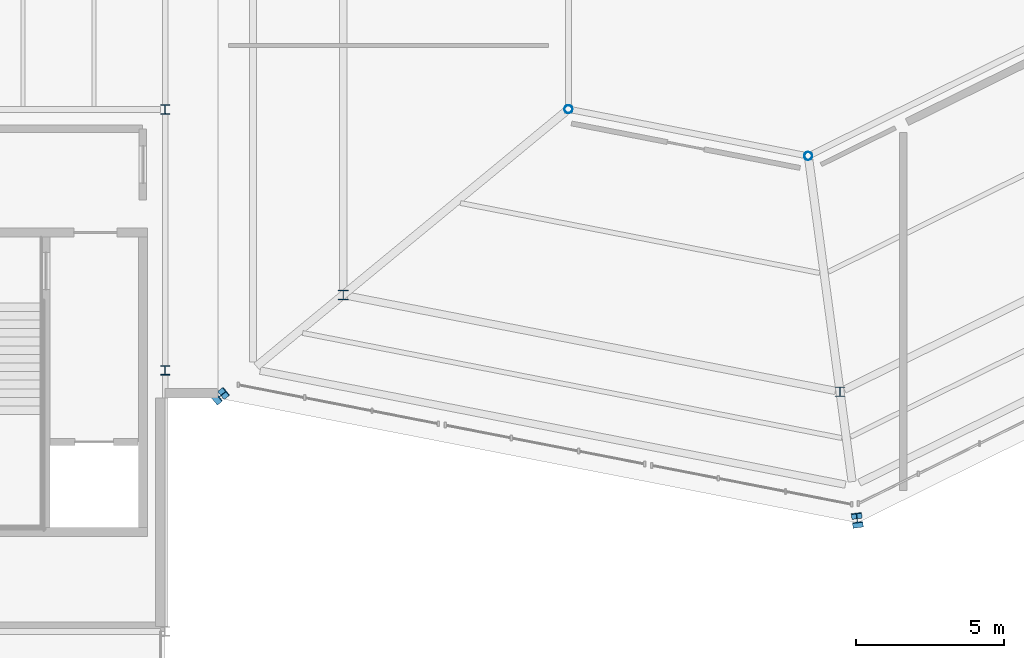
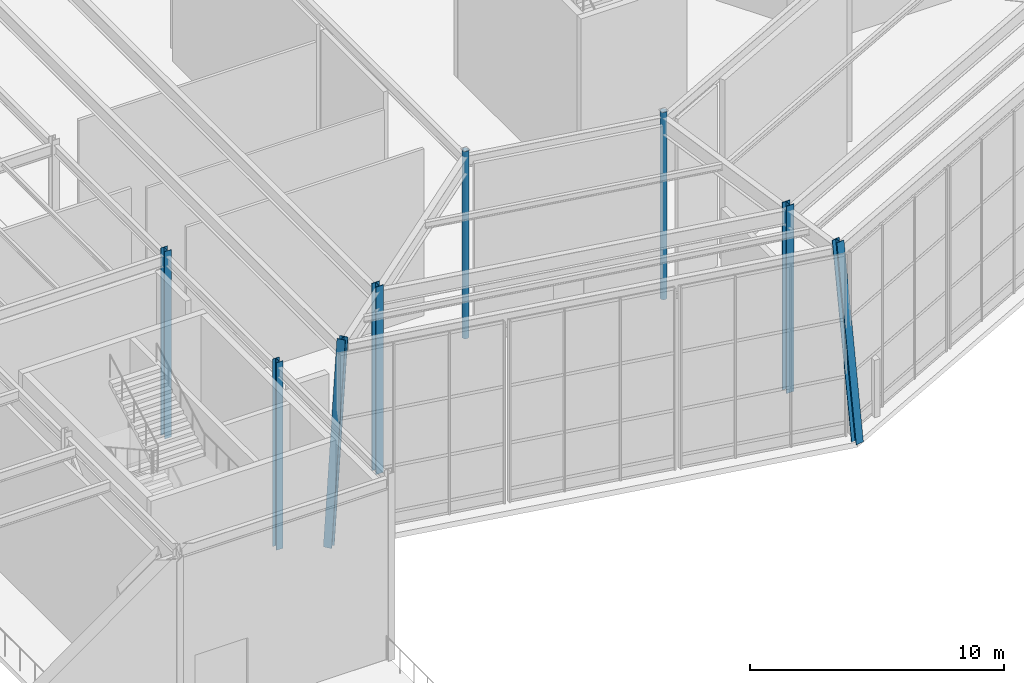
# One storey, part 3 of 48: 8 columns.
"""IFC4 building model written with IfcOpenShell, lengths in metres."""

import ifcopenshell
import ifcopenshell.guid

model = None  # the IFC model being written
_history = None  # IfcOwnerHistory: only IFC2X3 demands one
_inside = {}  # id of a spatial element -> (the spatial element, [elements in it])
_under = {}  # id of a project, library or spatial element -> (it, [spatial elements below it])
_declared = {}  # id of a project -> (the project, [libraries it declares])
_typed = {}  # id of a type object -> (the type object, [elements of that type])
_made_of = {}  # id of a material, layer set ... -> (it, [elements and type objects made of it])


def new_model(schema):
    """Start an empty IFC model of exactly this schema.

    Asked for "IFC4X3", IfcOpenShell would pick the latest addendum, in which some entities
    have other attributes; the version numbers below select the first issue.
    IFC2X3 requires an IfcOwnerHistory on every rooted entity: one is made here for all.
    """
    global model, _history
    if schema == "IFC4X3":
        model = ifcopenshell.file(schema_version=(4, 3, 0, 0))
    else:
        model = ifcopenshell.file(schema=schema)
    _inside.clear()
    _under.clear()
    _declared.clear()
    _typed.clear()
    _made_of.clear()
    _history = None
    if model.schema == "IFC2X3":
        org = make("IfcOrganization", Name="unknown")
        user = make(
            "IfcPersonAndOrganization",
            ThePerson=make("IfcPerson", FamilyName="unknown"),
            TheOrganization=org,
        )
        app = make(
            "IfcApplication",
            ApplicationDeveloper=org,
            Version="unknown",
            ApplicationFullName="unknown",
            ApplicationIdentifier="unknown",
        )
        _history = make(
            "IfcOwnerHistory",
            OwningUser=user,
            OwningApplication=app,
            ChangeAction="ADDED",
            CreationDate=0,
        )
    return model


def make(cls, **values):
    """One entity of the class cls with the attributes given. An attribute that is None is left unset."""
    return model.create_entity(
        cls, **{name: value for name, value in values.items() if value is not None}
    )


def rooted(cls, **values):
    """An entity with a GlobalId (a new one), such as an element, a storey or a relation."""
    return make(cls, GlobalId=ifcopenshell.guid.new(), OwnerHistory=_history, **values)


def si_unit(unit_type, name, prefix=None):
    """IfcSIUnit, for example si_unit("LENGTHUNIT", "METRE", prefix="MILLI")."""
    return make("IfcSIUnit", UnitType=unit_type, Prefix=prefix, Name=name)


def assignment(units):
    """IfcUnitAssignment: the units of a project."""
    return None if units is None else make("IfcUnitAssignment", Units=units)


def point(xyz):
    """IfcCartesianPoint."""
    return None if xyz is None else make("IfcCartesianPoint", Coordinates=xyz)


def direction(xyz):
    """IfcDirection."""
    return None if xyz is None else make("IfcDirection", DirectionRatios=xyz)


def frame(location, z_axis=None, x_axis=None):
    """IfcAxis2Placement3D, a coordinate frame: its origin and axes. An axis left out is left unset."""
    return make(
        "IfcAxis2Placement3D",
        Location=point(location),
        Axis=direction(z_axis),
        RefDirection=direction(x_axis),
    )


def frame_2d(location, x_axis=None):
    """IfcAxis2Placement2D, a coordinate frame in the plane: its origin and x axis."""
    return make(
        "IfcAxis2Placement2D", Location=point(location), RefDirection=direction(x_axis)
    )


def origin():
    """The frame at (0, 0, 0) with its axes left unset."""
    return frame((0.0, 0.0, 0.0))


def origin_2d():
    """The frame at (0, 0) in the plane with its x axis left unset."""
    return frame_2d((0.0, 0.0))


def place(relative_to, where):
    """IfcLocalPlacement: puts the frame where relative to a parent placement (None: the world)."""
    return make(
        "IfcLocalPlacement", PlacementRelTo=relative_to, RelativePlacement=where
    )


def context(
    kind, dimensions, precision=None, world=None, true_north=None, identifier=None
):
    """IfcGeometricRepresentationContext, for example the 3D "Model" context."""
    return make(
        "IfcGeometricRepresentationContext",
        ContextIdentifier=identifier,
        ContextType=kind,
        CoordinateSpaceDimension=dimensions,
        Precision=precision,
        WorldCoordinateSystem=world,
        TrueNorth=true_north,
    )


def subcontext(parent, identifier, kind, view, scale=None):
    """IfcGeometricRepresentationSubContext, for example "Body" below "Model"."""
    return make(
        "IfcGeometricRepresentationSubContext",
        ContextIdentifier=identifier,
        ContextType=kind,
        ParentContext=parent,
        TargetScale=scale,
        TargetView=view,
    )


def project(units=None, contexts=None):
    """IfcProject with its units and contexts."""
    return rooted(
        "IfcProject",
        Name="project",
        RepresentationContexts=contexts,
        UnitsInContext=assignment(units),
    )


def spatial(cls, under=None, at=None, **own):
    """A site, building, storey or space (cls), placed at a placement, below another one or the project."""
    s = rooted(cls, ObjectPlacement=at, **own)
    if under is not None:
        _under.setdefault(under.id(), (under, []))[1].append(s)
    return s


def profile(cls, at=None, kind="AREA", **sizes):
    """A parametric profile (cls). Its sizes go by their IFC names, for example OverallWidth=200.0."""
    return make(cls, ProfileType=kind, Position=at, **sizes)


def hollow_circle(**sizes):
    """IfcCircleHollowProfileDef."""
    return profile("IfcCircleHollowProfileDef", **sizes)


def i_section(**sizes):
    """IfcIShapeProfileDef."""
    return profile("IfcIShapeProfileDef", **sizes)


def extrude(swept, where, along, depth):
    """IfcExtrudedAreaSolid: the profile swept, set in the frame where, extruded along a direction by depth."""
    return make(
        "IfcExtrudedAreaSolid",
        SweptArea=swept,
        Position=where,
        ExtrudedDirection=direction(along),
        Depth=depth,
    )


def shape(context_of_items, identifier, shape_type, items):
    """IfcShapeRepresentation: the items that make up one representation, for example the "Body"."""
    return make(
        "IfcShapeRepresentation",
        ContextOfItems=context_of_items,
        RepresentationIdentifier=identifier,
        RepresentationType=shape_type,
        Items=items,
    )


def material(Name=None, Category=None):
    """IfcMaterial."""
    return make("IfcMaterial", Name=Name, Category=Category)


def material_profile(
    of_material, cross_section, Name=None, Category=None, Priority=None
):
    """IfcMaterialProfile: a cross section and its material."""
    return make(
        "IfcMaterialProfile",
        Name=Name,
        Material=of_material,
        Profile=cross_section,
        Priority=Priority,
        Category=Category,
    )


def profile_set(profiles, Name=None, composite=None):
    """IfcMaterialProfileSet."""
    return make(
        "IfcMaterialProfileSet",
        Name=Name,
        MaterialProfiles=profiles,
        CompositeProfile=composite,
    )


def made_of(thing, what):
    """Note that an element or type object is made of a material, layer set ...; save() writes the relation."""
    if what is not None:
        _made_of.setdefault(what.id(), (what, []))[1].append(thing)
    return thing


def type_object(cls, material=None, **own):
    """A type object (cls), such as IfcWallType, which elements share."""
    return made_of(rooted(cls, **own), material)


def element(
    cls,
    number,
    at=None,
    inside=None,
    cuts=None,
    type_object=None,
    material=None,
    context=None,
    identifier="Body",
    shape_type=None,
    held_by="IfcProductDefinitionShape",
    body=None,
    shapes=None,
    **own,
):
    """One element of the class cls, such as IfcWall. Its Tag is "e" and its number.

    at: its placement. inside: the storey or other place that contains it. cuts: it is an
    opening in that element (IfcRelVoidsElement). A single representation is given by context,
    identifier, shape_type and body (its items); several are given by shapes. held_by: the class
    of the entity that holds the representations. save() writes the other relations.
    """
    e = rooted(cls, Tag="e%d" % number, ObjectPlacement=at, **own)
    if body is not None:
        shapes = [shape(context, identifier, shape_type, body)]
    if shapes is not None:
        e.Representation = make(held_by, Representations=shapes)
    if inside is not None:
        _inside.setdefault(inside.id(), (inside, []))[1].append(e)
    if cuts is not None:
        rooted(
            "IfcRelVoidsElement", RelatingBuildingElement=cuts, RelatedOpeningElement=e
        )
    if type_object is not None:
        _typed.setdefault(type_object.id(), (type_object, []))[1].append(e)
    return made_of(e, material)


def aggregate(whole, parts):
    """IfcRelAggregates: a whole, such as a stair, and the parts it consists of."""
    return rooted("IfcRelAggregates", RelatingObject=whole, RelatedObjects=parts)


def save(model, path):
    """Write the relations noted so far, then the file.

    IfcRelAggregates (storeys below a building ...), IfcRelContainedInSpatialStructure (elements
    in a storey), IfcRelDefinesByType, IfcRelAssociatesMaterial and IfcRelDeclares: one each for
    every whole, place, type object, material and project.
    """
    for whole, parts in _under.values():
        aggregate(whole, parts)
    for where, things in _inside.values():
        rooted(
            "IfcRelContainedInSpatialStructure",
            RelatedElements=things,
            RelatingStructure=where,
        )
    for kind, things in _typed.values():
        rooted("IfcRelDefinesByType", RelatedObjects=things, RelatingType=kind)
    for what, things in _made_of.values():
        rooted("IfcRelAssociatesMaterial", RelatedObjects=things, RelatingMaterial=what)
    for by, libraries in _declared.values():
        rooted("IfcRelDeclares", RelatingContext=by, RelatedDefinitions=libraries)
    model.write(path)


model = new_model("IFC4")

# Units and contexts
model_context = context("Model", 3, precision=1e-05, world=origin(), true_north=direction((0.0, 1.0)))
body_context = subcontext(model_context, "Body", "Model", "MODEL_VIEW")
ifc_project = project(units=[si_unit("LENGTHUNIT", "METRE"), si_unit("AREAUNIT", "SQUARE_METRE"), si_unit("VOLUMEUNIT", "CUBIC_METRE"), si_unit("PLANEANGLEUNIT", "RADIAN"), si_unit("MASSUNIT", "GRAM", prefix="KILO")], contexts=[model_context])

# Site, building, storey
site_placement = place(None, origin())
site = spatial("IfcSite", under=ifc_project, at=site_placement, CompositionType="ELEMENT")
building_placement = place(site_placement, origin())
building = spatial("IfcBuilding", under=site, at=building_placement, Name="Sarnbrook Museum", CompositionType="ELEMENT")
storey_placement = place(building_placement, frame((0.0, 0.0, 19.10009765625)))
storey = spatial("IfcBuildingStorey", under=building, at=storey_placement, Name="L04", CompositionType="ELEMENT", Elevation=19.10009765625)

# Columns
ifc_material_1 = material(Name="Structural Steel Hollow Section Grade C350L0 (AS/NZS 1163, fy = 350 MPa)", Category="steel")
ifc_material_profile_1 = material_profile(ifc_material_1, hollow_circle(Radius=0.136474609375, WallThickness=0.00927734375, at=origin_2d()), Name="273.1x9.3CHS")
ifc_profile_set_1 = profile_set([ifc_material_profile_1], Name="Structural Steel Hollow Section Grade C350L0 (AS/NZS 1163, fy = 350 MPa)")
column_type_1 = type_object("IfcColumnType", Name="COL-CHS273", PredefinedType="COLUMN", material=ifc_profile_set_1)
for number, where, z_axis, x_axis, name in (
    (1, (132.800048828125, 74.405029296875, 0.0), (0.0, 0.0, 1.0), (1.0, 0.0, 0.0), "Crystal Gallery Feature Column R2-1 L04"),
    (2, (140.88720703125, 72.828857421875, 0.0), (0.0, 0.0, 1.0), (1.0, 0.0, 0.0), "Crystal Gallery Feature Column R2-2 L04"),
):
    element("IfcColumn", number, at=place(storey_placement, frame(where, z_axis=z_axis, x_axis=x_axis)), inside=storey, type_object=column_type_1, Name=name, PredefinedType="COLUMN", context=body_context, shape_type="SweptSolid", body=[
        extrude(hollow_circle(Radius=0.136474609375, WallThickness=0.00927734375, at=origin_2d()), origin(), (0.0, 0.0, 1.0), 9.0),
    ])
ifc_material_2 = material(Name="Structural Steel Grade 300PLUS (AS/NZS 3679.1, fy = 280 MPa for 17 < t <= 40 mm, 300 MPa for t <= 17 mm)", Category="steel")
ifc_material_profile_2 = material_profile(ifc_material_2, i_section(OverallWidth=0.306884765625, OverallDepth=0.31494140625, WebThickness=0.011962890625, FlangeThickness=0.018798828125, FilletRadius=0.0166015625, at=origin_2d()), Name="310UC118")
ifc_profile_set_2 = profile_set([ifc_material_profile_2], Name="Structural Steel Grade 300PLUS (AS/NZS 3679.1, fy = 280 MPa for 17 < t <= 40 mm, 300 MPa for t <= 17 mm)")
column_type_2 = type_object("IfcColumnType", Name="COL-UC310", PredefinedType="COLUMN", material=ifc_profile_set_2)
for number, where, z_axis, x_axis, name in (
    (3, (119.199951171875, 65.60009765625, 0.0), (0.0, 0.0, 1.0), (1.0, 0.0, 0.0), "Column 13-H L04"),
    (4, (119.199951171875, 74.39990234375, 0.0), (0.0, 0.0, 1.0), (1.0, 0.0, 0.0), "Column 13-J L04"),
):
    element("IfcColumn", number, at=place(storey_placement, frame(where, z_axis=z_axis, x_axis=x_axis)), inside=storey, type_object=column_type_2, Name=name, PredefinedType="COLUMN", context=body_context, shape_type="SweptSolid", body=[
        extrude(i_section(OverallWidth=0.306884765625, OverallDepth=0.31494140625, WebThickness=0.011962890625, FlangeThickness=0.018798828125, FilletRadius=0.0166015625, at=origin_2d()), origin(), (0.0, 0.0, 1.0), 9.0),
    ])
ifc_material_3 = material(Name="Structural Steel Grade 350L0 (AS/NZS 3678, fy = 340 MPa for 20 < t <= 40 mm)", Category="steel")
ifc_material_profile_3 = material_profile(ifc_material_3, i_section(OverallWidth=0.35009765625, OverallDepth=0.3310546875, WebThickness=0.02001953125, FlangeThickness=0.028076171875, at=origin_2d()), Name="350WC197")
ifc_profile_set_3 = profile_set([ifc_material_profile_3], Name="Structural Steel Grade 350L0 (AS/NZS 3678, fy = 340 MPa for 20 < t <= 40 mm)")
column_type_3 = type_object("IfcColumnType", Name="COL-WC350", PredefinedType="COLUMN", material=ifc_profile_set_3)
column_1_placement = place(storey_placement, frame((120.977294921875, 64.664306640625, 0.0), z_axis=(0.12977150761, 0.106935145051, 0.985760736977), x_axis=(-0.635935760086, 0.771741996424, 0.0)))
element("IfcColumn", 5, at=column_1_placement, inside=storey, type_object=column_type_3, Name="Raking Crystal Rib Column V1 L04", PredefinedType="COLUMN", context=body_context, shape_type="SweptSolid", body=[
    extrude(i_section(OverallWidth=0.35009765625, OverallDepth=0.3310546875, WebThickness=0.02001953125, FlangeThickness=0.028076171875, at=origin_2d()), origin(), (0.0, 0.0, 1.0), 9.1298828125),
])
column_2_placement = place(storey_placement, frame((125.199951171875, 68.143310546875, 0.0), z_axis=(0.0, 0.0, 1.0), x_axis=(1.0, 0.0, 0.0)))
element("IfcColumn", 6, at=column_2_placement, inside=storey, type_object=column_type_3, Name="Crystal Hall Ring Column R1-1 L04", PredefinedType="COLUMN", context=body_context, shape_type="SweptSolid", body=[
    extrude(i_section(OverallWidth=0.35009765625, OverallDepth=0.3310546875, WebThickness=0.02001953125, FlangeThickness=0.028076171875, at=origin_2d()), origin(), (0.0, 0.0, 1.0), 9.0),
])
column_3_placement = place(storey_placement, frame((142.550048828125, 60.45947265625, 0.0), z_axis=(-0.018351152915, 0.136438000737, 0.990478625282), x_axis=(-0.991075543136, -0.133301417086, 0.0)))
element("IfcColumn", 7, at=column_3_placement, inside=storey, type_object=column_type_3, Name="Raking Crystal Rib Column V2 L04", PredefinedType="COLUMN", context=body_context, shape_type="SweptSolid", body=[
    extrude(i_section(OverallWidth=0.35009765625, OverallDepth=0.3310546875, WebThickness=0.02001953125, FlangeThickness=0.028076171875, at=origin_2d()), origin(), (0.0, 0.0, 1.0), 9.08642578125),
])
column_4_placement = place(storey_placement, frame((141.9560546875, 64.87744140625, 0.0), z_axis=(0.0, 0.0, 1.0), x_axis=(1.0, 0.0, 0.0)))
element("IfcColumn", 8, at=column_4_placement, inside=storey, type_object=column_type_3, Name="Crystal Hall Ring Column R1-2 L04", PredefinedType="COLUMN", context=body_context, shape_type="SweptSolid", body=[
    extrude(i_section(OverallWidth=0.35009765625, OverallDepth=0.3310546875, WebThickness=0.02001953125, FlangeThickness=0.028076171875, at=origin_2d()), origin(), (0.0, 0.0, 1.0), 9.0),
])

save(model, "model.ifc")
